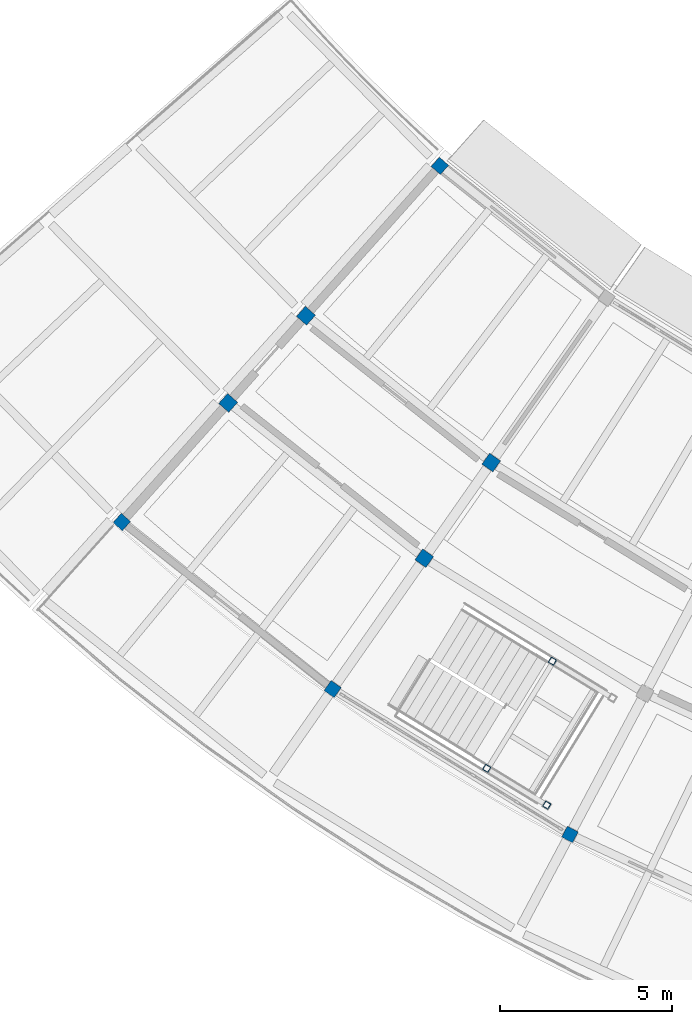
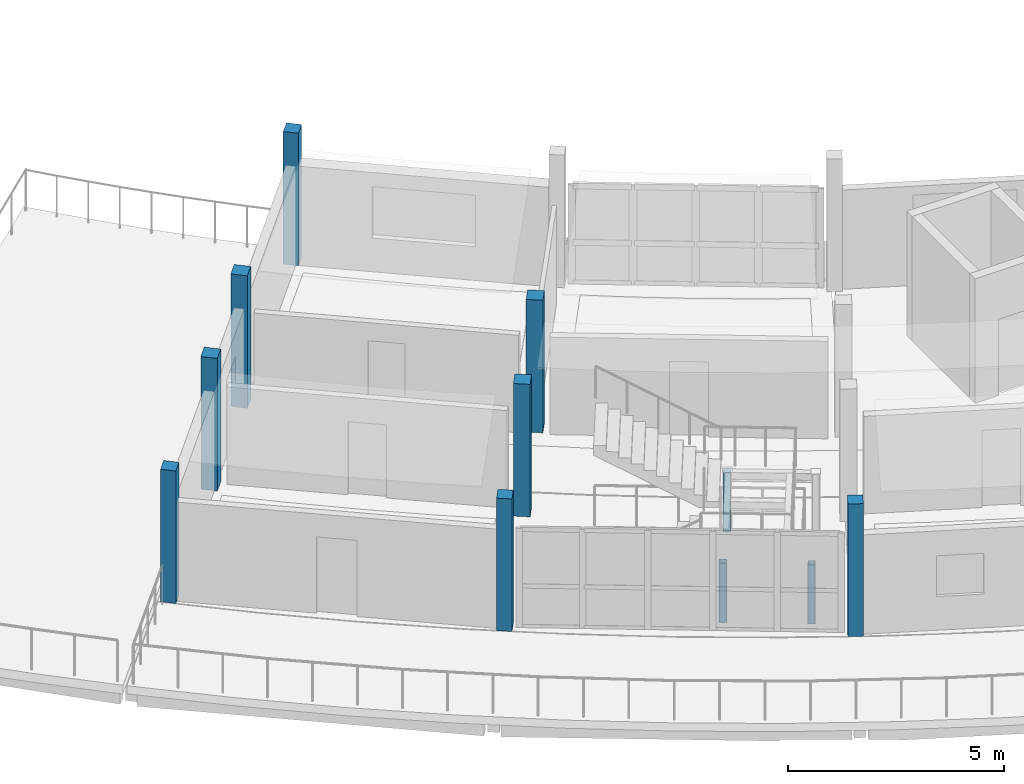
# One storey, part 2 of 36: 11 columns.
"""IFC4 building model written with IfcOpenShell, lengths in metres."""

from ifc_helpers import new_model, si_unit, direction, frame, origin, origin_2d, place, context, subcontext, project, spatial, rectangle, hollow_rectangle, extrude, material, material_profile, profile_set, type_object, element, save


model = new_model("IFC4")

# Units and contexts
model_context = context("Model", 3, precision=1e-05, world=origin(), true_north=direction((0.0, 1.0)))
body_context = subcontext(model_context, "Body", "Model", "MODEL_VIEW")
ifc_project = project(units=[si_unit("LENGTHUNIT", "METRE"), si_unit("AREAUNIT", "SQUARE_METRE"), si_unit("VOLUMEUNIT", "CUBIC_METRE"), si_unit("PLANEANGLEUNIT", "RADIAN"), si_unit("MASSUNIT", "GRAM", prefix="KILO")], contexts=[model_context])

# Site, building, storey
site_placement = place(None, origin())
site = spatial("IfcSite", under=ifc_project, at=site_placement, CompositionType="ELEMENT")
building_placement = place(site_placement, origin())
building = spatial("IfcBuilding", under=site, at=building_placement, Name="Caldaven Crescent School", CompositionType="ELEMENT")
storey_placement = place(building_placement, frame((0.0, 0.0, 11.89990234375)))
storey = spatial("IfcBuildingStorey", under=building, at=storey_placement, Name="L03", CompositionType="ELEMENT", Elevation=11.89990234375)

# Columns
ifc_material_1 = material(Name="Glulam MLE24h (GL28h)", Category="wood")
ifc_material_profile_1 = material_profile(ifc_material_1, rectangle(XDim=0.360107421875, YDim=0.360107421875, at=origin_2d()), Name="MLE 360x360")
ifc_profile_set_1 = profile_set([ifc_material_profile_1], Name="Glulam MLE24h (GL28h)")
column_type_1 = type_object("IfcColumnType", Name="COL-GL36", PredefinedType="COLUMN", material=ifc_profile_set_1)
for number, where, z_axis, x_axis, name in (
    (1, (53.064208984375, 56.878662109375, 0.0), (0.0, 0.0, 1.0), (-0.66614204858, -0.745824893064, 0.0), "COL-V4W-L03-00-0"),
    (2, (43.8056640625, 46.5107421875, 0.0), (0.0, 0.0, 1.0), (-0.66614204858, -0.745824893064, 0.0), "COL-V4W-L03-00-3"),
    (3, (49.943115234375, 41.649169921875, 0.0), (0.0, 0.0, 1.0), (-0.573576436351, -0.819152044289, 0.0), "COL-V4W-L03-01-3"),
    (4, (56.8505859375, 37.41650390625, 0.0), (0.0, 0.0, 1.0), (-0.469471562786, -0.882947592859, 0.0), "COL-V4W-L03-02-3"),
):
    element("IfcColumn", number, at=place(storey_placement, frame(where, z_axis=z_axis, x_axis=x_axis)), inside=storey, type_object=column_type_1, Name=name, PredefinedType="COLUMN", context=body_context, shape_type="SweptSolid", body=[
        extrude(rectangle(XDim=0.360107421875, YDim=0.360107421875, at=origin_2d()), origin(), (0.0, 0.0, 1.0), 3.739990234375),
    ])
ifc_material_profile_2 = material_profile(ifc_material_1, rectangle(XDim=0.389892578125, YDim=0.389892578125, at=origin_2d()), Name="MLE 390x390")
ifc_profile_set_2 = profile_set([ifc_material_profile_2], Name="Glulam MLE24h (GL28h)")
column_type_2 = type_object("IfcColumnType", Name="COL-GL39", PredefinedType="COLUMN", material=ifc_profile_set_2)
for number, where, z_axis, x_axis, name in (
    (5, (49.16748046875, 52.51513671875, 0.0), (0.0, 0.0, 1.0), (-0.66614204858, -0.745824893064, 0.0), "COL-V4W-L03-00-1"),
    (6, (46.90283203125, 49.979248046875, 0.0), (0.0, 0.0, 1.0), (-0.66614204858, -0.745824893064, 0.0), "COL-V4W-L03-00-2"),
    (7, (54.560546875, 48.243408203125, 0.0), (0.0, 0.0, 1.0), (-0.573576436351, -0.819152044289, 0.0), "COL-V4W-L03-01-1"),
    (8, (52.6103515625, 45.458251953125, 0.0), (0.0, 0.0, 1.0), (-0.573576436351, -0.819152044289, 0.0), "COL-V4W-L03-01-2"),
):
    element("IfcColumn", number, at=place(storey_placement, frame(where, z_axis=z_axis, x_axis=x_axis)), inside=storey, type_object=column_type_2, Name=name, PredefinedType="COLUMN", context=body_context, shape_type="SweptSolid", body=[
        extrude(rectangle(XDim=0.389892578125, YDim=0.389892578125, at=origin_2d()), origin(), (0.0, 0.0, 1.0), 3.739990234375),
    ])
ifc_material_2 = material(Name="Steel ASTM A572 Grade 50", Category="steel")
ifc_material_profile_3 = material_profile(ifc_material_2, hollow_rectangle(XDim=0.179931640625, YDim=0.179931640625, WallThickness=0.010009765625, InnerFilletRadius=0.010009765625, OuterFilletRadius=0.02001953125, at=origin_2d()), Name="HSS 180x180x10")
ifc_profile_set_3 = profile_set([ifc_material_profile_3], Name="Steel ASTM A572 Grade 50")
column_type_3 = type_object("IfcColumnType", Name="COL-HS18", PredefinedType="COLUMN", material=ifc_profile_set_3)
for number, where, z_axis, x_axis, name in (
    (9, (54.428955078125, 39.341552734375, 0.0), (0.0, 0.0, 1.0), (0.852640164354, -0.522498564716, 0.0), "COL-STPOST-ST1-L03-A"),
    (10, (56.34130859375, 42.462158203125, 0.0), (0.0, 0.0, 1.0), (0.852640164354, -0.522498564716, 0.0), "COL-STPOST-ST1-L03-B"),
    (11, (56.177001953125, 38.2705078125, 0.0), (0.0, 0.0, 1.0), (0.852640164354, -0.522498564716, 0.0), "COL-STPOST-ST1-L03-C"),
):
    element("IfcColumn", number, at=place(storey_placement, frame(where, z_axis=z_axis, x_axis=x_axis)), inside=storey, type_object=column_type_3, Name=name, PredefinedType="COLUMN", context=body_context, shape_type="SweptSolid", body=[
        extrude(hollow_rectangle(XDim=0.179931640625, YDim=0.179931640625, WallThickness=0.010009765625, InnerFilletRadius=0.010009765625, OuterFilletRadius=0.02001953125, at=origin_2d()), origin(), (0.0, 0.0, 1.0), 1.675048828125),
    ])

save(model, "model.ifc")
